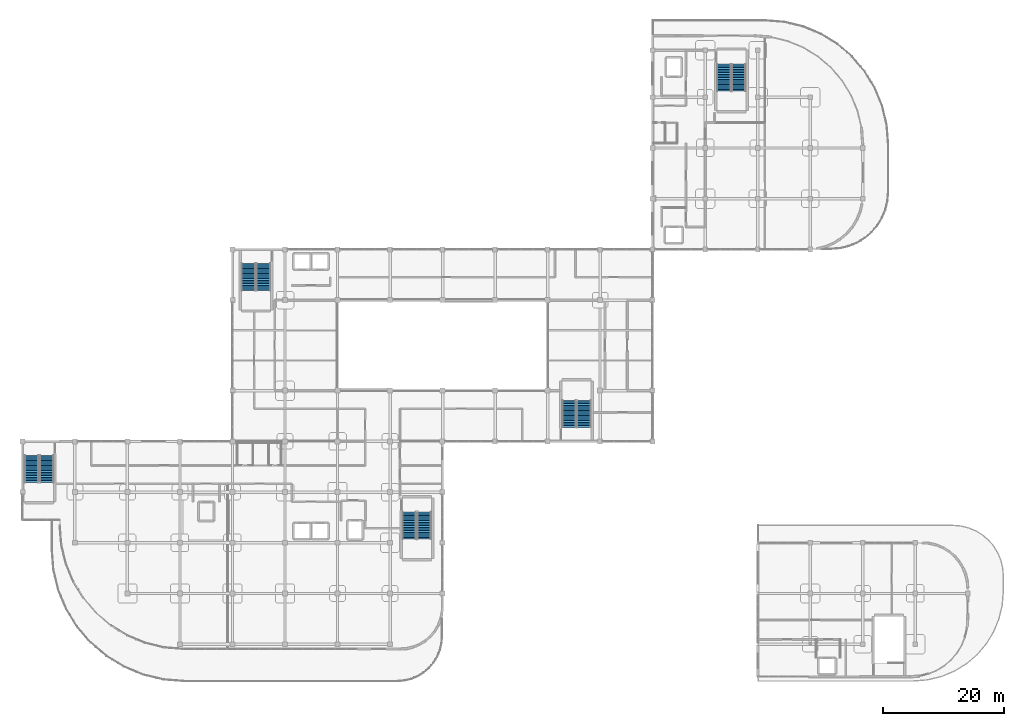
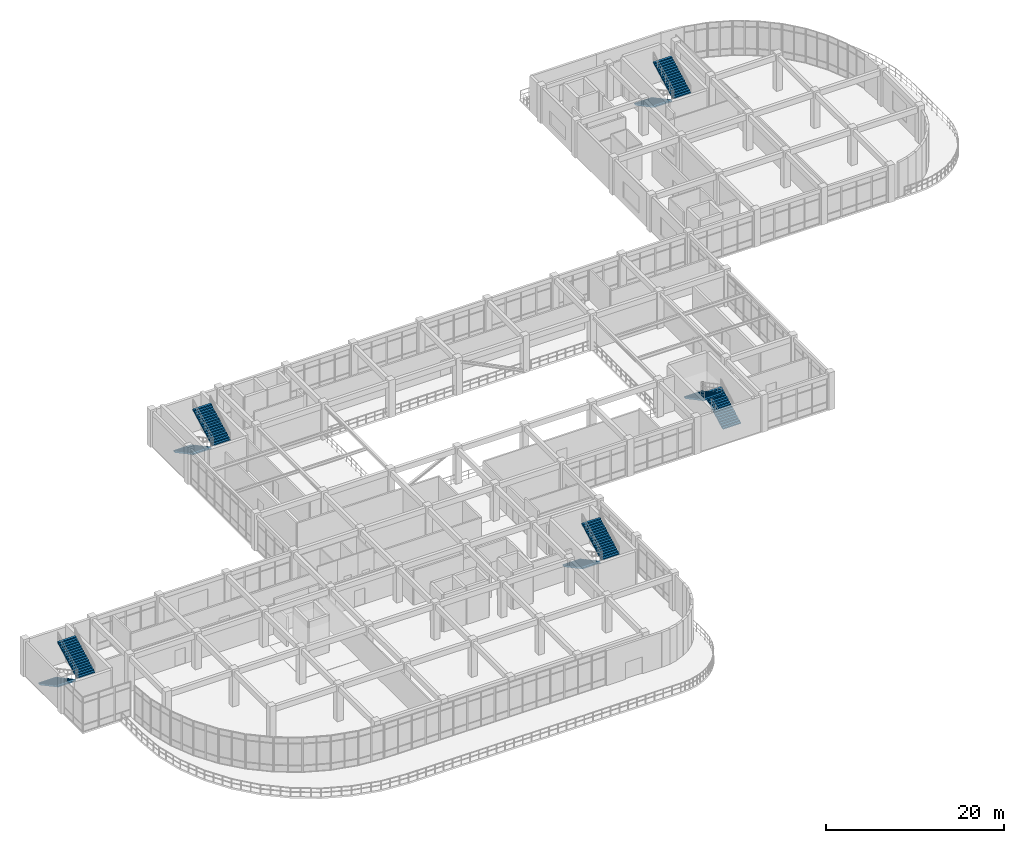
# One storey, part 85 of 96: 10 stair flights, 5 elements without a shape of their own.
"""IFC4 building model written with IfcOpenShell, lengths in metres."""

from ifc_helpers import new_model, si_unit, derived_unit, direction, frame, origin, place, context, subcontext, project, spatial, polyline, outline, extrude, material, type_object, element, aggregate, save


model = new_model("IFC4")

# Units and contexts
model_context = context("Model", 3, precision=1e-05, world=origin(), true_north=direction((0.0, 1.0)))
body_context = subcontext(model_context, "Body", "Model", "MODEL_VIEW")
ifc_project = project(units=[si_unit("LENGTHUNIT", "METRE"), si_unit("AREAUNIT", "SQUARE_METRE"), si_unit("VOLUMEUNIT", "CUBIC_METRE"), si_unit("PLANEANGLEUNIT", "RADIAN"), si_unit("MASSUNIT", "GRAM", prefix="KILO"), derived_unit("THERMALTRANSMITTANCEUNIT", [(si_unit("MASSUNIT", "GRAM", prefix="KILO"), 1), (si_unit("TIMEUNIT", "SECOND"), -3), (si_unit("THERMODYNAMICTEMPERATUREUNIT", "KELVIN"), -1)])], contexts=[model_context])

# Site, building, storey
site_placement = place(None, origin())
site = spatial("IfcSite", under=ifc_project, at=site_placement, CompositionType="ELEMENT")
building_placement = place(site_placement, origin())
building = spatial("IfcBuilding", under=site, at=building_placement, Name="Qinzheling Arcade Emporium", CompositionType="ELEMENT")
storey_placement = place(building_placement, frame((0.0, 0.0, 21.60009765625)))
storey = spatial("IfcBuildingStorey", under=building, at=storey_placement, Name="L05", CompositionType="ELEMENT", Elevation=21.60009765625)

# Stair, stair flights
ifc_material = material(Name="Concrete C40", Category="concrete")
stair_type = type_object("IfcStairType", Name="Cast-in-Situ Dog-Leg Escape Stair H5100", PredefinedType="HALF_TURN_STAIR", material=ifc_material)
stair_1_placement = place(storey_placement, origin())
stair_1 = element("IfcStair", 1, at=stair_1_placement, inside=storey, type_object=stair_type, Name="L05 ST01", PredefinedType="HALF_TURN_STAIR")
stair_flight_type = type_object("IfcStairFlightType", Name="Cast-in-Situ Straight Stair Flight 150x280 H5100", PredefinedType="STRAIGHT", material=ifc_material)
stair_flight_1_placement = place(storey_placement, frame((64.110107421875, 30.280029296875, 0.0), z_axis=(0.0, 0.0, 1.0), x_axis=(0.0, -1.0, 0.0)))
stair_flight_1 = element("IfcStairFlight", 2, at=stair_flight_1_placement, type_object=stair_flight_type, Name="ST01 flight 1", NumberOfRisers=17, NumberOfTreads=16, PredefinedType="STRAIGHT", RiserHeight=0.15, TreadLength=0.28, context=body_context, shape_type="SweptSolid", body=[
    extrude(outline(polyline([(0.0, 0.0), (0.0, 0.14990234375), (0.280029296875, 0.14990234375), (0.280029296875, 0.300048828125), (0.56005859375, 0.300048828125), (0.56005859375, 0.449951171875), (0.840087890625, 0.449951171875), (0.840087890625, 0.60009765625), (1.1201171875, 0.60009765625), (1.1201171875, 0.75), (1.39990234375, 0.75), (1.39990234375, 0.89990234375), (1.679931640625, 0.89990234375), (1.679931640625, 1.050048828125), (1.9599609375, 1.050048828125), (1.9599609375, 1.199951171875), (2.239990234375, 1.199951171875), (2.239990234375, 1.35009765625), (2.52001953125, 1.35009765625), (2.52001953125, 1.5), (2.800048828125, 1.5), (2.800048828125, 1.64990234375), (3.080078125, 1.64990234375), (3.080078125, 1.800048828125), (3.360107421875, 1.800048828125), (3.360107421875, 1.949951171875), (3.639892578125, 1.949951171875), (3.639892578125, 2.10009765625), (3.919921875, 2.10009765625), (3.919921875, 2.25), (4.199951171875, 2.25), (4.199951171875, 2.39990234375), (4.47998046875, 2.39990234375), (4.47998046875, 2.550048828125), (4.47998046875, 2.218505859375), (0.338623046875, 0.0), (0.0, 0.0)])), frame((0.0, 1.16015625, 0.0), z_axis=(0.0, -1.0, 0.0), x_axis=(1.0, 0.0, 0.0)), (0.0, 0.0, 1.0), 2.320068359375),
])
stair_flight_2_placement = place(storey_placement, frame((66.580078125, 25.800048828125, 2.5498046875), z_axis=(0.0, 0.0, 1.0), x_axis=(0.0, 1.0, 0.0)))
stair_flight_2 = element("IfcStairFlight", 3, at=stair_flight_2_placement, type_object=stair_flight_type, Name="ST01 flight 2", NumberOfRisers=17, NumberOfTreads=16, PredefinedType="STRAIGHT", RiserHeight=0.15, TreadLength=0.28, context=body_context, shape_type="SweptSolid", body=[
    extrude(outline(polyline([(0.0, 0.0), (0.0, 0.14990234375), (0.280029296875, 0.14990234375), (0.280029296875, 0.300048828125), (0.56005859375, 0.300048828125), (0.56005859375, 0.449951171875), (0.840087890625, 0.449951171875), (0.840087890625, 0.60009765625), (1.1201171875, 0.60009765625), (1.1201171875, 0.75), (1.39990234375, 0.75), (1.39990234375, 0.89990234375), (1.679931640625, 0.89990234375), (1.679931640625, 1.050048828125), (1.9599609375, 1.050048828125), (1.9599609375, 1.199951171875), (2.239990234375, 1.199951171875), (2.239990234375, 1.35009765625), (2.52001953125, 1.35009765625), (2.52001953125, 1.5), (2.800048828125, 1.5), (2.800048828125, 1.64990234375), (3.080078125, 1.64990234375), (3.080078125, 1.800048828125), (3.360107421875, 1.800048828125), (3.360107421875, 1.949951171875), (3.639892578125, 1.949951171875), (3.639892578125, 2.10009765625), (3.919921875, 2.10009765625), (3.919921875, 2.25), (4.199951171875, 2.25), (4.199951171875, 2.39990234375), (4.47998046875, 2.39990234375), (4.47998046875, 2.550048828125), (4.47998046875, 2.218505859375), (0.338623046875, 0.0), (0.0, 0.0)])), frame((0.0, 1.16015625, 0.0), z_axis=(0.0, -1.0, 0.0), x_axis=(1.0, 0.0, 0.0)), (0.0, 0.0, 1.0), 2.320068359375),
])
aggregate(stair_1, [stair_flight_1, stair_flight_2])

stair_2_placement = place(storey_placement, origin())
stair_2 = element("IfcStair", 4, at=stair_2_placement, inside=storey, type_object=stair_type, Name="L05 ST02", PredefinedType="HALF_TURN_STAIR")
stair_flight_3_placement = place(storey_placement, frame((1.56005859375, 39.679931640625, 0.0), z_axis=(0.0, 0.0, 1.0), x_axis=(0.0, -1.0, 0.0)))
stair_flight_3 = element("IfcStairFlight", 5, at=stair_flight_3_placement, type_object=stair_flight_type, Name="ST02 flight 1", NumberOfRisers=17, NumberOfTreads=16, PredefinedType="STRAIGHT", RiserHeight=0.15, TreadLength=0.28, context=body_context, shape_type="SweptSolid", body=[
    extrude(outline(polyline([(0.0, 0.0), (0.0, 0.14990234375), (0.280029296875, 0.14990234375), (0.280029296875, 0.300048828125), (0.56005859375, 0.300048828125), (0.56005859375, 0.449951171875), (0.840087890625, 0.449951171875), (0.840087890625, 0.60009765625), (1.1201171875, 0.60009765625), (1.1201171875, 0.75), (1.39990234375, 0.75), (1.39990234375, 0.89990234375), (1.679931640625, 0.89990234375), (1.679931640625, 1.050048828125), (1.9599609375, 1.050048828125), (1.9599609375, 1.199951171875), (2.239990234375, 1.199951171875), (2.239990234375, 1.35009765625), (2.52001953125, 1.35009765625), (2.52001953125, 1.5), (2.800048828125, 1.5), (2.800048828125, 1.64990234375), (3.080078125, 1.64990234375), (3.080078125, 1.800048828125), (3.360107421875, 1.800048828125), (3.360107421875, 1.949951171875), (3.639892578125, 1.949951171875), (3.639892578125, 2.10009765625), (3.919921875, 2.10009765625), (3.919921875, 2.25), (4.199951171875, 2.25), (4.199951171875, 2.39990234375), (4.47998046875, 2.39990234375), (4.47998046875, 2.550048828125), (4.47998046875, 2.218505859375), (0.338623046875, 0.0), (0.0, 0.0)])), frame((0.0, 1.16015625, 0.0), z_axis=(0.0, -1.0, 0.0), x_axis=(1.0, 0.0, 0.0)), (0.0, 0.0, 1.0), 2.320068359375),
])
stair_flight_4_placement = place(storey_placement, frame((4.030029296875, 35.199951171875, 2.5498046875), z_axis=(0.0, 0.0, 1.0), x_axis=(0.0, 1.0, 0.0)))
stair_flight_4 = element("IfcStairFlight", 6, at=stair_flight_4_placement, type_object=stair_flight_type, Name="ST02 flight 2", NumberOfRisers=17, NumberOfTreads=16, PredefinedType="STRAIGHT", RiserHeight=0.15, TreadLength=0.28, context=body_context, shape_type="SweptSolid", body=[
    extrude(outline(polyline([(0.0, 0.0), (0.0, 0.14990234375), (0.280029296875, 0.14990234375), (0.280029296875, 0.300048828125), (0.56005859375, 0.300048828125), (0.56005859375, 0.449951171875), (0.840087890625, 0.449951171875), (0.840087890625, 0.60009765625), (1.1201171875, 0.60009765625), (1.1201171875, 0.75), (1.39990234375, 0.75), (1.39990234375, 0.89990234375), (1.679931640625, 0.89990234375), (1.679931640625, 1.050048828125), (1.9599609375, 1.050048828125), (1.9599609375, 1.199951171875), (2.239990234375, 1.199951171875), (2.239990234375, 1.35009765625), (2.52001953125, 1.35009765625), (2.52001953125, 1.5), (2.800048828125, 1.5), (2.800048828125, 1.64990234375), (3.080078125, 1.64990234375), (3.080078125, 1.800048828125), (3.360107421875, 1.800048828125), (3.360107421875, 1.949951171875), (3.639892578125, 1.949951171875), (3.639892578125, 2.10009765625), (3.919921875, 2.10009765625), (3.919921875, 2.25), (4.199951171875, 2.25), (4.199951171875, 2.39990234375), (4.47998046875, 2.39990234375), (4.47998046875, 2.550048828125), (4.47998046875, 2.218505859375), (0.338623046875, 0.0), (0.0, 0.0)])), frame((0.0, 1.16015625, 0.0), z_axis=(0.0, -1.0, 0.0), x_axis=(1.0, 0.0, 0.0)), (0.0, 0.0, 1.0), 2.320068359375),
])
aggregate(stair_2, [stair_flight_3, stair_flight_4])

stair_3_placement = place(storey_placement, origin())
stair_3 = element("IfcStair", 7, at=stair_3_placement, inside=storey, type_object=stair_type, Name="L05 ST03", PredefinedType="HALF_TURN_STAIR")
stair_flight_5_placement = place(storey_placement, frame((37.4599609375, 71.47998046875, 0.0), z_axis=(0.0, 0.0, 1.0), x_axis=(0.0, -1.0, 0.0)))
stair_flight_5 = element("IfcStairFlight", 8, at=stair_flight_5_placement, type_object=stair_flight_type, Name="ST03 flight 1", NumberOfRisers=17, NumberOfTreads=16, PredefinedType="STRAIGHT", RiserHeight=0.15, TreadLength=0.28, context=body_context, shape_type="SweptSolid", body=[
    extrude(outline(polyline([(0.0, 0.0), (0.0, 0.14990234375), (0.280029296875, 0.14990234375), (0.280029296875, 0.300048828125), (0.56005859375, 0.300048828125), (0.56005859375, 0.449951171875), (0.840087890625, 0.449951171875), (0.840087890625, 0.60009765625), (1.1201171875, 0.60009765625), (1.1201171875, 0.75), (1.39990234375, 0.75), (1.39990234375, 0.89990234375), (1.679931640625, 0.89990234375), (1.679931640625, 1.050048828125), (1.9599609375, 1.050048828125), (1.9599609375, 1.199951171875), (2.239990234375, 1.199951171875), (2.239990234375, 1.35009765625), (2.52001953125, 1.35009765625), (2.52001953125, 1.5), (2.800048828125, 1.5), (2.800048828125, 1.64990234375), (3.080078125, 1.64990234375), (3.080078125, 1.800048828125), (3.360107421875, 1.800048828125), (3.360107421875, 1.949951171875), (3.639892578125, 1.949951171875), (3.639892578125, 2.10009765625), (3.919921875, 2.10009765625), (3.919921875, 2.25), (4.199951171875, 2.25), (4.199951171875, 2.39990234375), (4.47998046875, 2.39990234375), (4.47998046875, 2.550048828125), (4.47998046875, 2.218505859375), (0.338623046875, 0.0), (0.0, 0.0)])), frame((0.0, 1.16015625, 0.0), z_axis=(0.0, -1.0, 0.0), x_axis=(1.0, 0.0, 0.0)), (0.0, 0.0, 1.0), 2.320068359375),
])
stair_flight_6_placement = place(storey_placement, frame((39.929931640625, 67.0, 2.5498046875), z_axis=(0.0, 0.0, 1.0), x_axis=(0.0, 1.0, 0.0)))
stair_flight_6 = element("IfcStairFlight", 9, at=stair_flight_6_placement, type_object=stair_flight_type, Name="ST03 flight 2", NumberOfRisers=17, NumberOfTreads=16, PredefinedType="STRAIGHT", RiserHeight=0.15, TreadLength=0.28, context=body_context, shape_type="SweptSolid", body=[
    extrude(outline(polyline([(0.0, 0.0), (0.0, 0.14990234375), (0.280029296875, 0.14990234375), (0.280029296875, 0.300048828125), (0.56005859375, 0.300048828125), (0.56005859375, 0.449951171875), (0.840087890625, 0.449951171875), (0.840087890625, 0.60009765625), (1.1201171875, 0.60009765625), (1.1201171875, 0.75), (1.39990234375, 0.75), (1.39990234375, 0.89990234375), (1.679931640625, 0.89990234375), (1.679931640625, 1.050048828125), (1.9599609375, 1.050048828125), (1.9599609375, 1.199951171875), (2.239990234375, 1.199951171875), (2.239990234375, 1.35009765625), (2.52001953125, 1.35009765625), (2.52001953125, 1.5), (2.800048828125, 1.5), (2.800048828125, 1.64990234375), (3.080078125, 1.64990234375), (3.080078125, 1.800048828125), (3.360107421875, 1.800048828125), (3.360107421875, 1.949951171875), (3.639892578125, 1.949951171875), (3.639892578125, 2.10009765625), (3.919921875, 2.10009765625), (3.919921875, 2.25), (4.199951171875, 2.25), (4.199951171875, 2.39990234375), (4.47998046875, 2.39990234375), (4.47998046875, 2.550048828125), (4.47998046875, 2.218505859375), (0.338623046875, 0.0), (0.0, 0.0)])), frame((0.0, 1.16015625, 0.0), z_axis=(0.0, -1.0, 0.0), x_axis=(1.0, 0.0, 0.0)), (0.0, 0.0, 1.0), 2.320068359375),
])
aggregate(stair_3, [stair_flight_5, stair_flight_6])

stair_4_placement = place(storey_placement, origin())
stair_4 = element("IfcStair", 10, at=stair_4_placement, inside=storey, type_object=stair_type, Name="L05 ST04", PredefinedType="HALF_TURN_STAIR")
stair_flight_7_placement = place(storey_placement, frame((93.030029296875, 44.320068359375, 0.0), z_axis=(0.0, 0.0, 1.0), x_axis=(0.0, 1.0, 0.0)))
stair_flight_7 = element("IfcStairFlight", 11, at=stair_flight_7_placement, type_object=stair_flight_type, Name="ST04 flight 1", NumberOfRisers=17, NumberOfTreads=16, PredefinedType="STRAIGHT", RiserHeight=0.15, TreadLength=0.28, context=body_context, shape_type="SweptSolid", body=[
    extrude(outline(polyline([(0.0, 0.0), (0.0, 0.14990234375), (0.280029296875, 0.14990234375), (0.280029296875, 0.300048828125), (0.56005859375, 0.300048828125), (0.56005859375, 0.449951171875), (0.840087890625, 0.449951171875), (0.840087890625, 0.60009765625), (1.1201171875, 0.60009765625), (1.1201171875, 0.75), (1.39990234375, 0.75), (1.39990234375, 0.89990234375), (1.679931640625, 0.89990234375), (1.679931640625, 1.050048828125), (1.9599609375, 1.050048828125), (1.9599609375, 1.199951171875), (2.239990234375, 1.199951171875), (2.239990234375, 1.35009765625), (2.52001953125, 1.35009765625), (2.52001953125, 1.5), (2.800048828125, 1.5), (2.800048828125, 1.64990234375), (3.080078125, 1.64990234375), (3.080078125, 1.800048828125), (3.360107421875, 1.800048828125), (3.360107421875, 1.949951171875), (3.639892578125, 1.949951171875), (3.639892578125, 2.10009765625), (3.919921875, 2.10009765625), (3.919921875, 2.25), (4.199951171875, 2.25), (4.199951171875, 2.39990234375), (4.47998046875, 2.39990234375), (4.47998046875, 2.550048828125), (4.47998046875, 2.218505859375), (0.338623046875, 0.0), (0.0, 0.0)])), frame((0.0, 1.16015625, 0.0), z_axis=(0.0, -1.0, 0.0), x_axis=(1.0, 0.0, 0.0)), (0.0, 0.0, 1.0), 2.320068359375),
])
stair_flight_8_placement = place(storey_placement, frame((90.56005859375, 48.800048828125, 2.5498046875), z_axis=(0.0, 0.0, 1.0), x_axis=(0.0, -1.0, 0.0)))
stair_flight_8 = element("IfcStairFlight", 12, at=stair_flight_8_placement, type_object=stair_flight_type, Name="ST04 flight 2", NumberOfRisers=17, NumberOfTreads=16, PredefinedType="STRAIGHT", RiserHeight=0.15, TreadLength=0.28, context=body_context, shape_type="SweptSolid", body=[
    extrude(outline(polyline([(0.0, 0.0), (0.0, 0.14990234375), (0.280029296875, 0.14990234375), (0.280029296875, 0.300048828125), (0.56005859375, 0.300048828125), (0.56005859375, 0.449951171875), (0.840087890625, 0.449951171875), (0.840087890625, 0.60009765625), (1.1201171875, 0.60009765625), (1.1201171875, 0.75), (1.39990234375, 0.75), (1.39990234375, 0.89990234375), (1.679931640625, 0.89990234375), (1.679931640625, 1.050048828125), (1.9599609375, 1.050048828125), (1.9599609375, 1.199951171875), (2.239990234375, 1.199951171875), (2.239990234375, 1.35009765625), (2.52001953125, 1.35009765625), (2.52001953125, 1.5), (2.800048828125, 1.5), (2.800048828125, 1.64990234375), (3.080078125, 1.64990234375), (3.080078125, 1.800048828125), (3.360107421875, 1.800048828125), (3.360107421875, 1.949951171875), (3.639892578125, 1.949951171875), (3.639892578125, 2.10009765625), (3.919921875, 2.10009765625), (3.919921875, 2.25), (4.199951171875, 2.25), (4.199951171875, 2.39990234375), (4.47998046875, 2.39990234375), (4.47998046875, 2.550048828125), (4.47998046875, 2.218505859375), (0.338623046875, 0.0), (0.0, 0.0)])), frame((0.0, 1.16015625, 0.0), z_axis=(0.0, -1.0, 0.0), x_axis=(1.0, 0.0, 0.0)), (0.0, 0.0, 1.0), 2.320068359375),
])
aggregate(stair_4, [stair_flight_7, stair_flight_8])

stair_5_placement = place(storey_placement, origin())
stair_5 = element("IfcStair", 13, at=stair_5_placement, inside=storey, type_object=stair_type, Name="L05 ST08", PredefinedType="HALF_TURN_STAIR")
stair_flight_9_placement = place(storey_placement, frame((116.215087890625, 104.47998046875, 0.0), z_axis=(0.0, 0.0, 1.0), x_axis=(0.0, -1.0, 0.0)))
stair_flight_9 = element("IfcStairFlight", 14, at=stair_flight_9_placement, type_object=stair_flight_type, Name="ST08 flight 1", NumberOfRisers=17, NumberOfTreads=16, PredefinedType="STRAIGHT", RiserHeight=0.15, TreadLength=0.28, context=body_context, shape_type="SweptSolid", body=[
    extrude(outline(polyline([(0.0, 0.0), (0.0, 0.14990234375), (0.280029296875, 0.14990234375), (0.280029296875, 0.300048828125), (0.56005859375, 0.300048828125), (0.56005859375, 0.449951171875), (0.840087890625, 0.449951171875), (0.840087890625, 0.60009765625), (1.1201171875, 0.60009765625), (1.1201171875, 0.75), (1.39990234375, 0.75), (1.39990234375, 0.89990234375), (1.679931640625, 0.89990234375), (1.679931640625, 1.050048828125), (1.9599609375, 1.050048828125), (1.9599609375, 1.199951171875), (2.239990234375, 1.199951171875), (2.239990234375, 1.35009765625), (2.52001953125, 1.35009765625), (2.52001953125, 1.5), (2.800048828125, 1.5), (2.800048828125, 1.64990234375), (3.080078125, 1.64990234375), (3.080078125, 1.800048828125), (3.360107421875, 1.800048828125), (3.360107421875, 1.949951171875), (3.639892578125, 1.949951171875), (3.639892578125, 2.10009765625), (3.919921875, 2.10009765625), (3.919921875, 2.25), (4.199951171875, 2.25), (4.199951171875, 2.39990234375), (4.47998046875, 2.39990234375), (4.47998046875, 2.550048828125), (4.47998046875, 2.218505859375), (0.338623046875, 0.0), (0.0, 0.0)])), frame((0.0, 1.16015625, 0.0), z_axis=(0.0, -1.0, 0.0), x_axis=(1.0, 0.0, 0.0)), (0.0, 0.0, 1.0), 2.320068359375),
])
stair_flight_10_placement = place(storey_placement, frame((118.68505859375, 100.0, 2.5498046875), z_axis=(0.0, 0.0, 1.0), x_axis=(0.0, 1.0, 0.0)))
stair_flight_10 = element("IfcStairFlight", 15, at=stair_flight_10_placement, type_object=stair_flight_type, Name="ST08 flight 2", NumberOfRisers=17, NumberOfTreads=16, PredefinedType="STRAIGHT", RiserHeight=0.15, TreadLength=0.28, context=body_context, shape_type="SweptSolid", body=[
    extrude(outline(polyline([(0.0, 0.0), (0.0, 0.14990234375), (0.280029296875, 0.14990234375), (0.280029296875, 0.300048828125), (0.56005859375, 0.300048828125), (0.56005859375, 0.449951171875), (0.840087890625, 0.449951171875), (0.840087890625, 0.60009765625), (1.1201171875, 0.60009765625), (1.1201171875, 0.75), (1.39990234375, 0.75), (1.39990234375, 0.89990234375), (1.679931640625, 0.89990234375), (1.679931640625, 1.050048828125), (1.9599609375, 1.050048828125), (1.9599609375, 1.199951171875), (2.239990234375, 1.199951171875), (2.239990234375, 1.35009765625), (2.52001953125, 1.35009765625), (2.52001953125, 1.5), (2.800048828125, 1.5), (2.800048828125, 1.64990234375), (3.080078125, 1.64990234375), (3.080078125, 1.800048828125), (3.360107421875, 1.800048828125), (3.360107421875, 1.949951171875), (3.639892578125, 1.949951171875), (3.639892578125, 2.10009765625), (3.919921875, 2.10009765625), (3.919921875, 2.25), (4.199951171875, 2.25), (4.199951171875, 2.39990234375), (4.47998046875, 2.39990234375), (4.47998046875, 2.550048828125), (4.47998046875, 2.218505859375), (0.338623046875, 0.0), (0.0, 0.0)])), frame((0.0, 1.16015625, 0.0), z_axis=(0.0, -1.0, 0.0), x_axis=(1.0, 0.0, 0.0)), (0.0, 0.0, 1.0), 2.320068359375),
])
aggregate(stair_5, [stair_flight_9, stair_flight_10])

save(model, "model.ifc")
